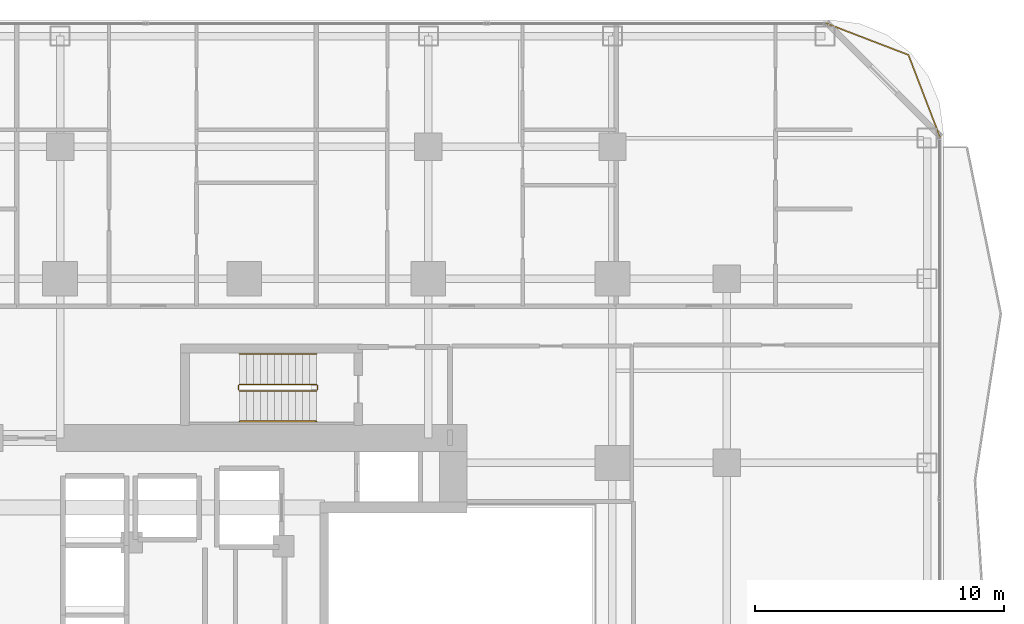
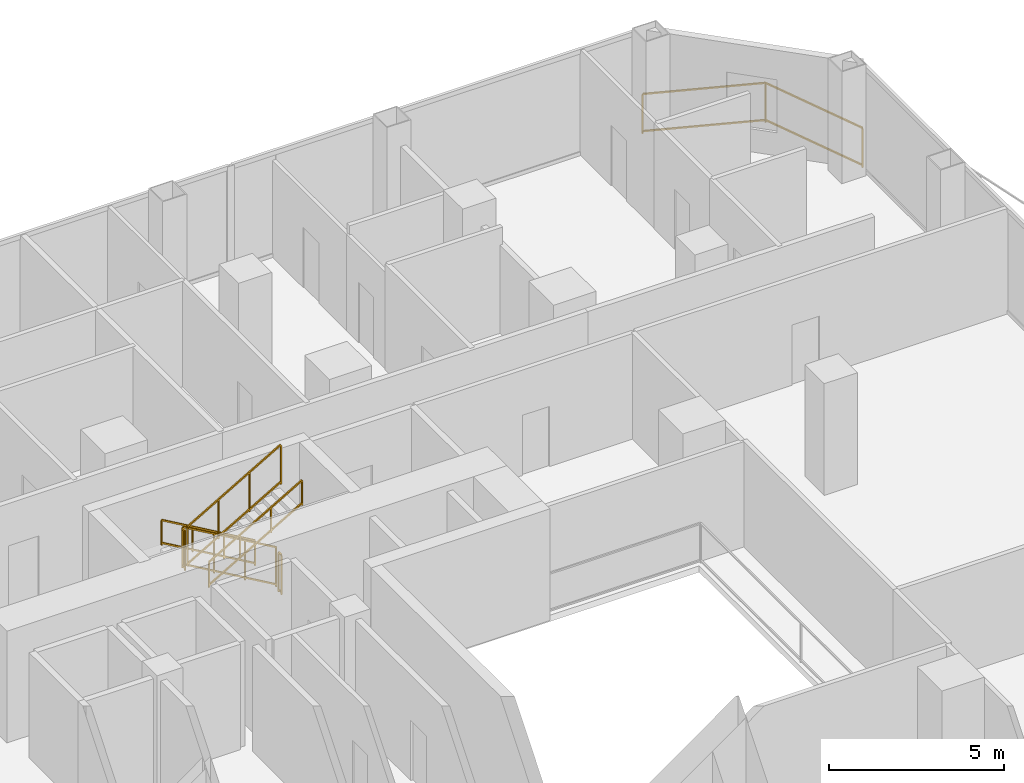
# One storey, part 27 of 27: 7 railings.
"""IFC4 building model written with IfcOpenShell, lengths in metres."""

from ifc_helpers import new_model, si_unit, direction, frame, origin, origin_2d, place, context, subcontext, project, spatial, rectangle, extrude, material, type_object, element, save


model = new_model("IFC4")

# Units and contexts
model_context = context("Model", 3, precision=1e-05, world=origin(), true_north=direction((0.0, 1.0)))
body_context = subcontext(model_context, "Body", "Model", "MODEL_VIEW")
ifc_project = project(units=[si_unit("LENGTHUNIT", "METRE"), si_unit("AREAUNIT", "SQUARE_METRE"), si_unit("VOLUMEUNIT", "CUBIC_METRE"), si_unit("PLANEANGLEUNIT", "RADIAN"), si_unit("MASSUNIT", "GRAM", prefix="KILO")], contexts=[model_context])

# Site, building, storey
site_placement = place(None, origin())
site = spatial("IfcSite", under=ifc_project, at=site_placement, CompositionType="ELEMENT")
building_placement = place(site_placement, origin())
building = spatial("IfcBuilding", under=site, at=building_placement, Name="Khorvyn Point Tower", CompositionType="ELEMENT")
storey_placement = place(building_placement, frame((0.0, 0.0, 42.300048828125)))
storey = spatial("IfcBuildingStorey", under=building, at=storey_placement, Name="L11", CompositionType="ELEMENT", Elevation=42.300048828125)

# Railings
ifc_material_1 = material(Name="Anodised aluminium 6063-T6 and laminated safety glass", Category="aluminium")
railing_type_1 = type_object("IfcRailingType", Name="Laminated Glass and Aluminium Balcony Guardrail 1400", PredefinedType="BALUSTRADE", material=ifc_material_1)
railing_1_placement = place(storey_placement, frame((27.97412109375, 20.470703125, 0.0)))
element("IfcRailing", 1, at=railing_1_placement, inside=storey, type_object=railing_type_1, Name="L11 Rounded Corner Edge Guardrail NE", PredefinedType="BALUSTRADE", context=body_context, shape_type="SweptSolid", body=[
    extrude(rectangle(XDim=0.048095703125, YDim=0.048095703125, at=origin_2d()), frame((0.0, 0.0, 1.3759765625), z_axis=(-0.35841886047, 0.933560882031, 0.0), x_axis=(-0.933560882031, -0.35841886047, 0.0)), (0.0, 0.0, 1.0), 3.563232421875),
    extrude(rectangle(XDim=0.048095703125, YDim=0.048095703125, at=origin_2d()), frame((0.0, 0.0, 0.080078125), z_axis=(-0.35841886047, 0.933560882031, 0.0), x_axis=(-0.933560882031, -0.35841886047, 0.0)), (0.0, 0.0, 1.0), 3.563232421875),
    extrude(rectangle(XDim=0.048095703125, YDim=0.048095703125, at=origin_2d()), frame((-1.277099609375, 3.326416015625, 1.3759765625), z_axis=(-0.933575007025, 0.358382067435, 0.0), x_axis=(-0.358382067435, -0.933575007025, 0.0)), (0.0, 0.0, 1.0), 3.562744140625),
    extrude(rectangle(XDim=0.048095703125, YDim=0.048095703125, at=origin_2d()), frame((-1.277099609375, 3.326416015625, 0.080078125), z_axis=(-0.933575007025, 0.358382067435, 0.0), x_axis=(-0.358382067435, -0.933575007025, 0.0)), (0.0, 0.0, 1.0), 3.562744140625),
    extrude(rectangle(XDim=0.0419921875, YDim=0.0419921875, at=origin_2d()), origin(), (0.0, 0.0, 1.0), 1.351806640625),
    extrude(rectangle(XDim=0.0419921875, YDim=0.0419921875, at=origin_2d()), frame((-1.277099609375, 3.326416015625, 0.0)), (0.0, 0.0, 1.0), 1.351806640625),
    extrude(rectangle(XDim=0.0419921875, YDim=0.0419921875, at=origin_2d()), frame((-4.603271484375, 4.603271484375, 0.0)), (0.0, 0.0, 1.0), 1.351806640625),
])
ifc_material_2 = material(Name="Stainless steel 1.4301", Category="steel")
railing_type_2 = type_object("IfcRailingType", Name="Stainless Steel 304 Stair Pitch Handrail 900", PredefinedType="HANDRAIL", material=ifc_material_2)
railing_2_placement = place(storey_placement, frame((2.89990234375, 11.77001953125, 0.162353515625)))
element("IfcRailing", 2, at=railing_2_placement, inside=storey, type_object=railing_type_2, Name="L11 ST-02 stair handrail 1", PredefinedType="HANDRAIL", context=body_context, shape_type="SweptSolid", body=[
    extrude(rectangle(XDim=0.048095703125, YDim=0.048095703125, at=origin_2d()), frame((0.0, 0.0, 0.8759765625), z_axis=(-0.864873446163, 0.0, 0.501989962173), x_axis=(0.0, -1.0, 0.0)), (0.0, 0.0, 1.0), 3.56103515625),
    extrude(rectangle(XDim=0.048095703125, YDim=0.048095703125, at=origin_2d()), frame((0.0, 0.0, 0.080078125), z_axis=(-0.864873446163, 0.0, 0.501989962173), x_axis=(0.0, -1.0, 0.0)), (0.0, 0.0, 1.0), 3.56103515625),
    extrude(rectangle(XDim=0.0419921875, YDim=0.0419921875, at=origin_2d()), origin(), (0.0, 0.0, 1.0), 0.851806640625),
    extrude(rectangle(XDim=0.0419921875, YDim=0.0419921875, at=origin_2d()), frame((-1.026611328125, 0.0, 0.595947265625)), (0.0, 0.0, 1.0), 0.851806640625),
    extrude(rectangle(XDim=0.0419921875, YDim=0.0419921875, at=origin_2d()), frame((-2.05322265625, 0.0, 1.191650390625)), (0.0, 0.0, 1.0), 0.851806640625),
    extrude(rectangle(XDim=0.0419921875, YDim=0.0419921875, at=origin_2d()), frame((-3.079833984375, 0.0, 1.78759765625)), (0.0, 0.0, 1.0), 0.851806640625),
])
railing_3_placement = place(storey_placement, frame((-0.179931640625, 9.070068359375, 2.112548828125)))
element("IfcRailing", 3, at=railing_3_placement, inside=storey, type_object=railing_type_2, Name="L11 ST-02 stair handrail 2", PredefinedType="HANDRAIL", context=body_context, shape_type="SweptSolid", body=[
    extrude(rectangle(XDim=0.048095703125, YDim=0.048095703125, at=origin_2d()), frame((0.0, 0.0, 0.8759765625), z_axis=(0.864903211148, 0.0, 0.501938676878), x_axis=(0.0, 1.0, 0.0)), (0.0, 0.0, 1.0), 3.560791015625),
    extrude(rectangle(XDim=0.048095703125, YDim=0.048095703125, at=origin_2d()), frame((0.0, 0.0, 0.080078125), z_axis=(0.864903211148, 0.0, 0.501938676878), x_axis=(0.0, 1.0, 0.0)), (0.0, 0.0, 1.0), 3.560791015625),
    extrude(rectangle(XDim=0.0419921875, YDim=0.0419921875, at=origin_2d()), origin(), (0.0, 0.0, 1.0), 0.851806640625),
    extrude(rectangle(XDim=0.0419921875, YDim=0.0419921875, at=origin_2d()), frame((1.026611328125, 0.0, 0.595703125)), (0.0, 0.0, 1.0), 0.851806640625),
    extrude(rectangle(XDim=0.0419921875, YDim=0.0419921875, at=origin_2d()), frame((2.05322265625, 0.0, 1.191650390625)), (0.0, 0.0, 1.0), 0.851806640625),
    extrude(rectangle(XDim=0.0419921875, YDim=0.0419921875, at=origin_2d()), frame((3.079833984375, 0.0, 1.787353515625)), (0.0, 0.0, 1.0), 0.851806640625),
])
railing_type_3 = type_object("IfcRailingType", Name="Stainless Steel 304 Stair Well Guardrail 1400", PredefinedType="GUARDRAIL", material=ifc_material_2)
railing_4_placement = place(storey_placement, frame((2.89990234375, 10.550048828125, 0.162353515625)))
element("IfcRailing", 4, at=railing_4_placement, inside=storey, type_object=railing_type_3, Name="L11 ST-02 stair guard 1", PredefinedType="GUARDRAIL", context=body_context, shape_type="SweptSolid", body=[
    extrude(rectangle(XDim=0.048095703125, YDim=0.048095703125, at=origin_2d()), frame((0.0, 0.0, 1.3759765625), z_axis=(-0.864873446163, 0.0, 0.501989962173), x_axis=(0.0, -1.0, 0.0)), (0.0, 0.0, 1.0), 3.56103515625),
    extrude(rectangle(XDim=0.048095703125, YDim=0.048095703125, at=origin_2d()), frame((0.0, 0.0, 0.080078125), z_axis=(-0.864873446163, 0.0, 0.501989962173), x_axis=(0.0, -1.0, 0.0)), (0.0, 0.0, 1.0), 3.56103515625),
    extrude(rectangle(XDim=0.0419921875, YDim=0.0419921875, at=origin_2d()), origin(), (0.0, 0.0, 1.0), 1.351806640625),
    extrude(rectangle(XDim=0.0419921875, YDim=0.0419921875, at=origin_2d()), frame((-1.026611328125, 0.0, 0.595947265625)), (0.0, 0.0, 1.0), 1.351806640625),
    extrude(rectangle(XDim=0.0419921875, YDim=0.0419921875, at=origin_2d()), frame((-2.05322265625, 0.0, 1.191650390625)), (0.0, 0.0, 1.0), 1.351806640625),
    extrude(rectangle(XDim=0.0419921875, YDim=0.0419921875, at=origin_2d()), frame((-3.079833984375, 0.0, 1.78759765625)), (0.0, 0.0, 1.0), 1.351806640625),
])
railing_5_placement = place(storey_placement, frame((-0.22998046875, 10.5, 1.949951171875)))
element("IfcRailing", 5, at=railing_5_placement, inside=storey, type_object=railing_type_3, Name="L11 ST-02 stair guard 2", PredefinedType="GUARDRAIL", context=body_context, shape_type="SweptSolid", body=[
    extrude(rectangle(XDim=0.048095703125, YDim=0.048095703125, at=origin_2d()), frame((0.0, 0.0, 1.3759765625), z_axis=(0.0, -1.0, 0.0), x_axis=(1.0, 0.0, 0.0)), (0.0, 0.0, 1.0), 0.159912109375),
    extrude(rectangle(XDim=0.048095703125, YDim=0.048095703125, at=origin_2d()), frame((0.0, 0.0, 0.080078125), z_axis=(0.0, -1.0, 0.0), x_axis=(1.0, 0.0, 0.0)), (0.0, 0.0, 1.0), 0.159912109375),
    extrude(rectangle(XDim=0.0419921875, YDim=0.0419921875, at=origin_2d()), origin(), (0.0, 0.0, 1.0), 1.351806640625),
    extrude(rectangle(XDim=0.0419921875, YDim=0.0419921875, at=origin_2d()), frame((0.0, -0.159912109375, 0.0)), (0.0, 0.0, 1.0), 1.351806640625),
])
railing_6_placement = place(storey_placement, frame((-0.179931640625, 10.2900390625, 2.112548828125)))
element("IfcRailing", 6, at=railing_6_placement, inside=storey, type_object=railing_type_3, Name="L11 ST-02 stair guard 3", PredefinedType="GUARDRAIL", context=body_context, shape_type="SweptSolid", body=[
    extrude(rectangle(XDim=0.048095703125, YDim=0.048095703125, at=origin_2d()), frame((0.0, 0.0, 1.3759765625), z_axis=(0.864903211148, 0.0, 0.501938676878), x_axis=(0.0, 1.0, 0.0)), (0.0, 0.0, 1.0), 3.560791015625),
    extrude(rectangle(XDim=0.048095703125, YDim=0.048095703125, at=origin_2d()), frame((0.0, 0.0, 0.080078125), z_axis=(0.864903211148, 0.0, 0.501938676878), x_axis=(0.0, 1.0, 0.0)), (0.0, 0.0, 1.0), 3.560791015625),
    extrude(rectangle(XDim=0.0419921875, YDim=0.0419921875, at=origin_2d()), origin(), (0.0, 0.0, 1.0), 1.351806640625),
    extrude(rectangle(XDim=0.0419921875, YDim=0.0419921875, at=origin_2d()), frame((1.026611328125, 0.0, 0.595703125)), (0.0, 0.0, 1.0), 1.351806640625),
    extrude(rectangle(XDim=0.0419921875, YDim=0.0419921875, at=origin_2d()), frame((2.05322265625, 0.0, 1.191650390625)), (0.0, 0.0, 1.0), 1.351806640625),
    extrude(rectangle(XDim=0.0419921875, YDim=0.0419921875, at=origin_2d()), frame((3.079833984375, 0.0, 1.787353515625)), (0.0, 0.0, 1.0), 1.351806640625),
])
railing_7_placement = place(storey_placement, frame((2.949951171875, 10.5, 0.0)))
element("IfcRailing", 7, at=railing_7_placement, inside=storey, type_object=railing_type_3, Name="L11 ST-02 stair guard 4", PredefinedType="GUARDRAIL", context=body_context, shape_type="SweptSolid", body=[
    extrude(rectangle(XDim=0.048095703125, YDim=0.048095703125, at=origin_2d()), frame((0.0, 0.0, 1.3759765625), z_axis=(0.0, -1.0, 0.0), x_axis=(1.0, 0.0, 0.0)), (0.0, 0.0, 1.0), 0.159912109375),
    extrude(rectangle(XDim=0.048095703125, YDim=0.048095703125, at=origin_2d()), frame((0.0, 0.0, 0.080078125), z_axis=(0.0, -1.0, 0.0), x_axis=(1.0, 0.0, 0.0)), (0.0, 0.0, 1.0), 0.159912109375),
    extrude(rectangle(XDim=0.0419921875, YDim=0.0419921875, at=origin_2d()), origin(), (0.0, 0.0, 1.0), 1.351806640625),
    extrude(rectangle(XDim=0.0419921875, YDim=0.0419921875, at=origin_2d()), frame((0.0, -0.159912109375, 0.0)), (0.0, 0.0, 1.0), 1.351806640625),
])

save(model, "model.ifc")
